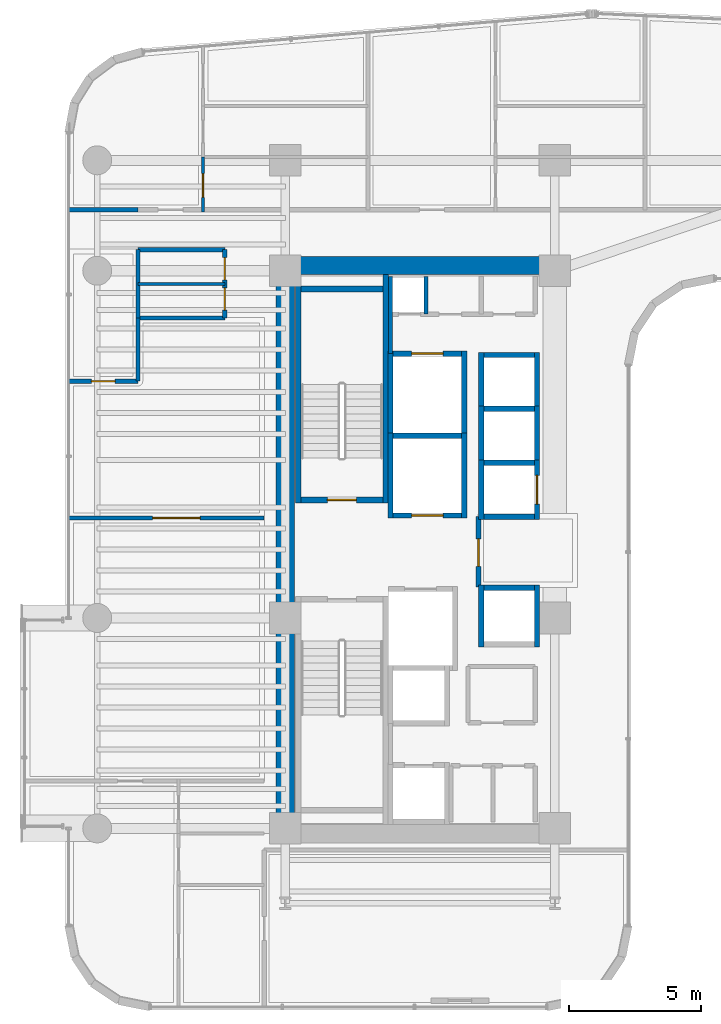
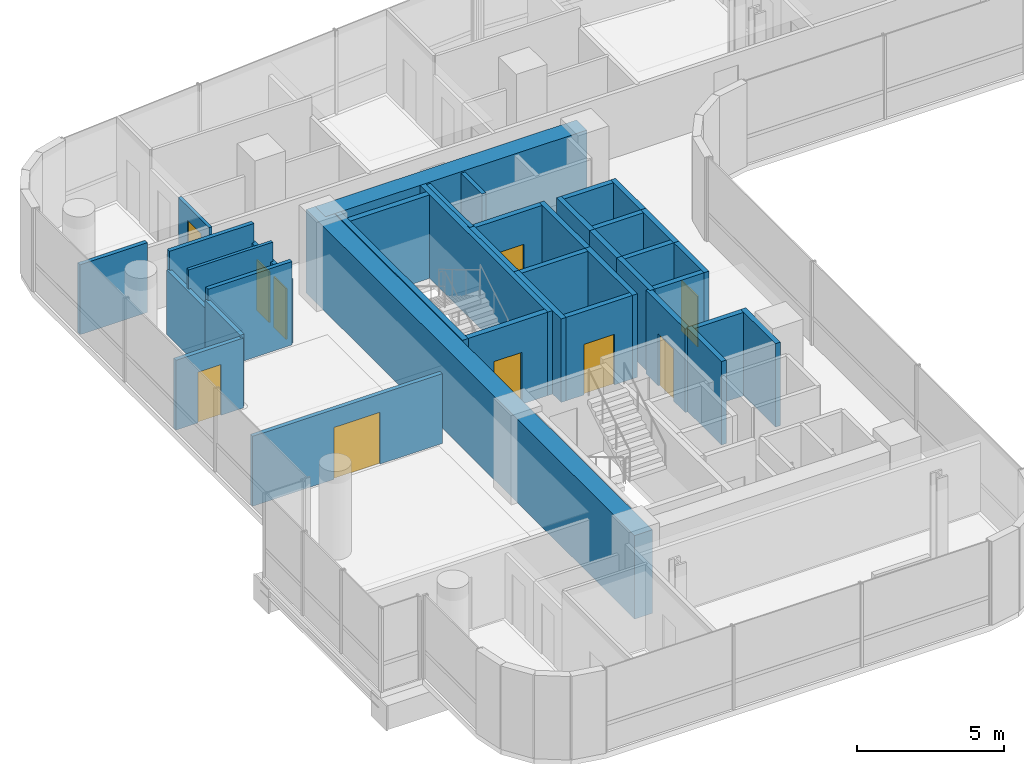
# One storey, part 29 of 38: 39 walls, 10 doors, 10 openings.
"""IFC4 building model written with IfcOpenShell, lengths in metres."""

from ifc_helpers import new_model, si_unit, direction, frame, frame_2d, origin, place, context, subcontext, project, spatial, rectangle, extrude, material, layer, layer_set, type_object, element, fill, save


model = new_model("IFC4")

# Units and contexts
model_context = context("Model", 3, precision=1e-05, world=origin(), true_north=direction((0.0, 1.0)))
body_context = subcontext(model_context, "Body", "Model", "MODEL_VIEW")
ifc_project = project(units=[si_unit("LENGTHUNIT", "METRE"), si_unit("AREAUNIT", "SQUARE_METRE"), si_unit("VOLUMEUNIT", "CUBIC_METRE"), si_unit("PLANEANGLEUNIT", "RADIAN"), si_unit("MASSUNIT", "GRAM", prefix="KILO")], contexts=[model_context])

# Site, building, storey
site_placement = place(None, origin())
site = spatial("IfcSite", under=ifc_project, at=site_placement, CompositionType="ELEMENT")
building_placement = place(site_placement, origin())
building = spatial("IfcBuilding", under=site, at=building_placement, Name="Valdorenza Pilgrim Sanctuary Tower", CompositionType="ELEMENT")
storey_placement = place(building_placement, frame((0.0, 0.0, 131.60009765625)))
storey = spatial("IfcBuildingStorey", under=building, at=storey_placement, Name="L33", CompositionType="ELEMENT", Elevation=131.60009765625)

# Walls
ifc_material_1 = material(Name="Acoustic twin-stud gypsum partition", Category="gypsum")
ifc_layer_1 = layer(ifc_material_1, 0.159912109375, Name="Acoustic twin-stud gypsum partition")
ifc_layer_set_1 = layer_set([ifc_layer_1], Name="Acoustic twin-stud gypsum partition")
wall_type_1 = type_object("IfcWallType", Name="WAL-COR-160", PredefinedType="PARTITIONING", material=ifc_layer_set_1)
wall_1_placement = place(storey_placement, frame((-18.64990234375, 7.449951171875, 0.0), z_axis=(0.0, 0.0, 1.0), x_axis=(0.0, 1.0, 0.0)))
element("IfcWall", 1, at=wall_1_placement, inside=storey, type_object=wall_type_1, Name="L33 Core A North Service West Wall", PredefinedType="PARTITIONING", context=body_context, shape_type="SweptSolid", body=[
    extrude(rectangle(XDim=2.929931640625, YDim=0.159912109375, at=frame_2d((1.46484375, 0.0))), origin(), (0.0, 0.0, 1.0), 3.4599609375),
])
wall_2_placement = place(storey_placement, frame((-17.300048828125, 8.949951171875, 0.0), z_axis=(0.0, 0.0, 1.0), x_axis=(0.0, 1.0, 0.0)))
element("IfcWall", 2, at=wall_2_placement, inside=storey, type_object=wall_type_1, Name="L33 Core Electrical Riser Wall", PredefinedType="PARTITIONING", context=body_context, shape_type="SweptSolid", body=[
    extrude(rectangle(XDim=1.429931640625, YDim=0.159912109375, at=frame_2d((0.71484375, 0.0))), origin(), (0.0, 0.0, 1.0), 3.4599609375),
])
wall_3_placement = place(storey_placement, frame((-28.25, 8.800048828125, 0.0), z_axis=(0.0, 0.0, 1.0), x_axis=(0.0, 1.0, 0.0)))
element("IfcWall", 3, at=wall_3_placement, inside=storey, type_object=wall_type_1, Name="L33 Washroom West Wall", PredefinedType="PARTITIONING", context=body_context, shape_type="SweptSolid", body=[
    extrude(rectangle(XDim=2.599853515625, YDim=0.159912109375, at=frame_2d((1.2998046875, 0.0))), origin(), (0.0, 0.0, 1.0), 2.666015625),
])

# Wall, openings, doors
wall_4_placement = place(storey_placement, frame((-24.949951171875, 8.800048828125, 0.0), z_axis=(0.0, 0.0, 1.0), x_axis=(0.0, 1.0, 0.0)))
wall_4 = element("IfcWall", 4, at=wall_4_placement, inside=storey, type_object=wall_type_1, Name="L33 Washroom East Wall", PredefinedType="PARTITIONING", context=body_context, shape_type="SweptSolid", body=[
    extrude(rectangle(XDim=2.599853515625, YDim=0.159912109375, at=frame_2d((1.2998046875, 0.0))), origin(), (0.0, 0.0, 1.0), 2.666015625),
])
opening_1_placement = place(wall_4_placement, frame((0.300048828125, 0.0, 0.0)))
opening_1 = element("IfcOpeningElement", 5, at=opening_1_placement, cuts=wall_4, Name="Opening DR-WC1", PredefinedType="OPENING", context=body_context, shape_type="SweptSolid", body=[
    extrude(rectangle(XDim=0.85009765625, YDim=2.10009765625, at=frame_2d((0.425048828125, 1.050048828125))), frame((0.0, 0.0947265625, 0.0), z_axis=(0.0, -1.0, 0.0), x_axis=(1.0, 0.0, 0.0)), (0.0, 0.0, 1.0), 0.189697265625),
])
opening_2_placement = place(wall_4_placement, frame((1.449951171875, 0.0, 0.0)))
opening_2 = element("IfcOpeningElement", 6, at=opening_2_placement, cuts=wall_4, Name="Opening DR-WC1", PredefinedType="OPENING", context=body_context, shape_type="SweptSolid", body=[
    extrude(rectangle(XDim=0.85009765625, YDim=2.10009765625, at=frame_2d((0.425048828125, 1.050048828125))), frame((0.0, 0.0947265625, 0.0), z_axis=(0.0, -1.0, 0.0), x_axis=(1.0, 0.0, 0.0)), (0.0, 0.0, 1.0), 0.189697265625),
])
ifc_material_2 = material(Name="Moisture-resistant lacquered timber", Category="wood")
door_type_1 = type_object("IfcDoorType", Name="DR-BATH-850", OperationType="NOTDEFINED", PredefinedType="DOOR", material=ifc_material_2)
door_1_placement = place(opening_1_placement, origin())
door_1 = element("IfcDoor", 7, at=door_1_placement, inside=storey, type_object=door_type_1, Name="L33 Accessible Washroom Door", OperationType="SINGLE_SWING_LEFT", OverallHeight=2.10009765625, OverallWidth=0.85009765625, PredefinedType="DOOR", context=body_context, shape_type="SweptSolid", body=[
    extrude(rectangle(XDim=0.85009765625, YDim=2.10009765625, at=frame_2d((0.425048828125, 1.050048828125))), frame((0.0, 0.02490234375, 0.0), z_axis=(0.0, -1.0, 0.0), x_axis=(1.0, 0.0, 0.0)), (0.0, 0.0, 1.0), 0.050048828125),
])
fill(opening_1, door_1)
door_2_placement = place(opening_2_placement, origin())
door_2 = element("IfcDoor", 8, at=door_2_placement, inside=storey, type_object=door_type_1, Name="L33 Public Washroom Door", OperationType="SINGLE_SWING_RIGHT", OverallHeight=2.10009765625, OverallWidth=0.85009765625, PredefinedType="DOOR", context=body_context, shape_type="SweptSolid", body=[
    extrude(rectangle(XDim=0.85009765625, YDim=2.10009765625, at=frame_2d((0.425048828125, 1.050048828125))), frame((0.0, 0.02490234375, 0.0), z_axis=(0.0, -1.0, 0.0), x_axis=(1.0, 0.0, 0.0)), (0.0, 0.0, 1.0), 0.050048828125),
])
fill(opening_2, door_2)

# Walls
for number, where, z_axis, x_axis, name in (
    (9, (-28.25, 8.800048828125, 0.0), (0.0, 0.0, 1.0), (1.0, 0.0, 0.0), "L33 Washroom South Wall"),
    (10, (-28.25, 11.39990234375, 0.0), (0.0, 0.0, 1.0), (1.0, 0.0, 0.0), "L33 Washroom North Wall"),
):
    element("IfcWall", number, at=place(storey_placement, frame(where, z_axis=z_axis, x_axis=x_axis)), inside=storey, type_object=wall_type_1, Name=name, PredefinedType="PARTITIONING", context=body_context, shape_type="SweptSolid", body=[
        extrude(rectangle(XDim=3.300048828125, YDim=0.159912109375, at=frame_2d((1.64990234375, 0.0))), origin(), (0.0, 0.0, 1.0), 3.4599609375),
    ])

# Wall, opening, door
wall_5_placement = place(storey_placement, frame((-30.889892578125, 6.39990234375, 0.0), z_axis=(0.0, 0.0, 1.0), x_axis=(1.0, 0.0, 0.0)))
wall_5 = element("IfcWall", 11, at=wall_5_placement, inside=storey, type_object=wall_type_1, Name="L33 Cloister North Room Wall", PredefinedType="PARTITIONING", context=body_context, shape_type="SweptSolid", body=[
    extrude(rectangle(XDim=2.639892578125, YDim=0.159912109375, at=frame_2d((1.31982421875, 0.0))), origin(), (0.0, 0.0, 1.0), 2.89599609375),
])
opening_3_placement = place(wall_5_placement, frame((0.8701171875, 0.0, 0.0)))
opening_3 = element("IfcOpeningElement", 12, at=opening_3_placement, cuts=wall_5, Name="Opening DR-RM1", PredefinedType="OPENING", context=body_context, shape_type="SweptSolid", body=[
    extrude(rectangle(XDim=0.89990234375, YDim=2.10009765625, at=frame_2d((0.449951171875, 1.050048828125))), frame((0.0, 0.0947265625, 0.0), z_axis=(0.0, -1.0, 0.0), x_axis=(1.0, 0.0, 0.0)), (0.0, 0.0, 1.0), 0.189697265625),
])
ifc_material_3 = material(Name="Solid-core European oak timber", Category="wood")
door_type_2 = type_object("IfcDoorType", Name="DR-ROOM-900", OperationType="NOTDEFINED", PredefinedType="DOOR", material=ifc_material_3)
door_3_placement = place(opening_3_placement, frame((0.89990234375, 0.0, 0.0), z_axis=(0.0, 0.0, 1.0), x_axis=(-1.0, 0.0, 0.0)))
door_3 = element("IfcDoor", 13, at=door_3_placement, inside=storey, type_object=door_type_2, Name="L33 Pilgrim Scholar Office L33-1 Door", OperationType="SINGLE_SWING_LEFT", OverallHeight=2.10009765625, OverallWidth=0.89990234375, PredefinedType="DOOR", context=body_context, shape_type="SweptSolid", body=[
    extrude(rectangle(XDim=0.89990234375, YDim=2.10009765625, at=frame_2d((0.449951171875, 1.050048828125))), frame((0.0, 0.02490234375, 0.0), z_axis=(0.0, -1.0, 0.0), x_axis=(1.0, 0.0, 0.0)), (0.0, 0.0, 1.0), 0.050048828125),
])
fill(opening_3, door_3)

# Wall
wall_6_placement = place(storey_placement, frame((-28.25, 6.39990234375, 0.0), z_axis=(0.0, 0.0, 1.0), x_axis=(0.0, 1.0, 0.0)))
element("IfcWall", 14, at=wall_6_placement, inside=storey, type_object=wall_type_1, Name="L33 Cloister NE Closure", PredefinedType="PARTITIONING", context=body_context, shape_type="SweptSolid", body=[
    extrude(rectangle(XDim=2.400146484375, YDim=0.159912109375, at=frame_2d((1.2001953125, 0.0))), origin(), (0.0, 0.0, 1.0), 2.98779296875),
])

# Wall, opening, door
wall_7_placement = place(storey_placement, frame((-30.889892578125, 1.199951171875, 0.0), z_axis=(0.0, 0.0, 1.0), x_axis=(1.0, 0.0, 0.0)))
wall_7 = element("IfcWall", 15, at=wall_7_placement, inside=storey, type_object=wall_type_1, Name="L33 Cloister Mid Wall", PredefinedType="PARTITIONING", context=body_context, shape_type="SweptSolid", body=[
    extrude(rectangle(XDim=7.43994140625, YDim=0.159912109375, at=frame_2d((3.719970703125, 0.0))), origin(), (0.0, 0.0, 1.0), 2.89599609375),
])
opening_4_placement = place(wall_7_placement, frame((3.199951171875, 0.0, 0.0)))
opening_4 = element("IfcOpeningElement", 16, at=opening_4_placement, cuts=wall_7, Name="Opening DR-HL1", PredefinedType="OPENING", context=body_context, shape_type="SweptSolid", body=[
    extrude(rectangle(XDim=1.800048828125, YDim=2.14990234375, at=frame_2d((0.89990234375, 1.074951171875))), frame((0.0, 0.0947265625, 0.0), z_axis=(0.0, -1.0, 0.0), x_axis=(1.0, 0.0, 0.0)), (0.0, 0.0, 1.0), 0.189697265625),
])
ifc_material_4 = material(Name="Acoustic oak and vision-glass double door", Category="glass")
door_type_3 = type_object("IfcDoorType", Name="DR-HALL-1800", OperationType="NOTDEFINED", PredefinedType="DOOR", material=ifc_material_4)
door_4_placement = place(opening_4_placement, origin())
door_4 = element("IfcDoor", 17, at=door_4_placement, inside=storey, type_object=door_type_3, Name="L33 Cloister Mid Double Door", OperationType="DOUBLE_DOOR_SINGLE_SWING", OverallHeight=2.14990234375, OverallWidth=1.800048828125, PredefinedType="DOOR", context=body_context, shape_type="SweptSolid", body=[
    extrude(rectangle(XDim=1.800048828125, YDim=2.14990234375, at=frame_2d((0.89990234375, 1.074951171875))), frame((0.0, 0.02490234375, 0.0), z_axis=(0.0, -1.0, 0.0), x_axis=(1.0, 0.0, 0.0)), (0.0, 0.0, 1.0), 0.050048828125),
])
fill(opening_4, door_4)

# Walls
wall_8_placement = place(storey_placement, frame((-30.889892578125, 12.919921875, 0.0), z_axis=(0.0, 0.0, 1.0), x_axis=(1.0, 0.0, 0.0)))
element("IfcWall", 18, at=wall_8_placement, inside=storey, type_object=wall_type_1, Name="L33 Cloister North Solid Partition", PredefinedType="PARTITIONING", context=body_context, shape_type="SweptSolid", body=[
    extrude(rectangle(XDim=2.639892578125, YDim=0.159912109375, at=frame_2d((1.31982421875, 0.0))), origin(), (0.0, 0.0, 1.0), 2.89599609375),
])
ifc_material_5 = material(Name="Concrete C60/75", Category="concrete")
ifc_layer_2 = layer(ifc_material_5, 0.699951171875, Name="Concrete C60/75")
ifc_layer_set_2 = layer_set([ifc_layer_2], Name="Concrete C60/75")
wall_type_2 = type_object("IfcWallType", Name="WAL-COR-700", PredefinedType="SHEAR", material=ifc_layer_set_2)
wall_9_placement = place(storey_placement, frame((-22.64990234375, -11.14990234375, 0.0), z_axis=(0.0, 0.0, 1.0), x_axis=(0.0, 1.0, 0.0)))
element("IfcWall", 19, at=wall_9_placement, inside=storey, type_object=wall_type_2, Name="L33 Split Core A Shear Wall W", PredefinedType="SHEAR", context=body_context, shape_type="SweptSolid", body=[
    extrude(rectangle(XDim=22.2998046875, YDim=0.699951171875, at=frame_2d((11.14990234375, 0.0))), origin(), (0.0, 0.0, 1.0), 3.4599609375),
])
wall_10_placement = place(storey_placement, frame((-22.64990234375, 10.800048828125, 0.0), z_axis=(0.0, 0.0, 1.0), x_axis=(1.0, 0.0, 0.0)))
element("IfcWall", 20, at=wall_10_placement, inside=storey, type_object=wall_type_2, Name="L33 Split Core A Shear Wall N", PredefinedType="SHEAR", context=body_context, shape_type="SweptSolid", body=[
    extrude(rectangle(XDim=10.25, YDim=0.699951171875, at=frame_2d((5.125, 0.0))), origin(), (0.0, 0.0, 1.0), 3.4599609375),
])

# Wall, opening, door
ifc_material_6 = material(Name="Gypsum shaftwall partition", Category="gypsum")
ifc_layer_3 = layer(ifc_material_6, 0.199951171875, Name="Gypsum shaftwall partition")
ifc_layer_set_3 = layer_set([ifc_layer_3], Name="Gypsum shaftwall partition")
wall_type_3 = type_object("IfcWallType", Name="WAL-FFL-200", PredefinedType="PARTITIONING", material=ifc_layer_set_3)
wall_11_placement = place(storey_placement, frame((-15.300048828125, -1.419921875, 0.0), z_axis=(0.0, 0.0, 1.0), x_axis=(0.0, 1.0, 0.0)))
wall_11 = element("IfcWall", 21, at=wall_11_placement, inside=storey, type_object=wall_type_3, Name="L33 Core A Firefighting Lobby East Wall", PredefinedType="PARTITIONING", context=body_context, shape_type="SweptSolid", body=[
    extrude(rectangle(XDim=2.669921875, YDim=0.199951171875, at=frame_2d((1.3349609375, 0.0))), origin(), (0.0, 0.0, 1.0), 3.4599609375),
])
opening_5_placement = place(wall_11_placement, frame((0.780029296875, 0.0, 0.0)))
opening_5 = element("IfcOpeningElement", 22, at=opening_5_placement, cuts=wall_11, Name="Opening DR-FL1", PredefinedType="OPENING", context=body_context, shape_type="SweptSolid", body=[
    extrude(rectangle(XDim=1.050048828125, YDim=2.14990234375, at=frame_2d((0.52490234375, 1.074951171875))), frame((0.0, 0.11474609375, 0.0), z_axis=(0.0, -1.0, 0.0), x_axis=(1.0, 0.0, 0.0)), (0.0, 0.0, 1.0), 0.229736328125),
])
ifc_material_7 = material(Name="Painted galvanized steel", Category="steel")
door_type_4 = type_object("IfcDoorType", Name="DR-FFL-1050", OperationType="NOTDEFINED", PredefinedType="DOOR", material=ifc_material_7)
door_5_placement = place(opening_5_placement, origin())
door_5 = element("IfcDoor", 23, at=door_5_placement, inside=storey, type_object=door_type_4, Name="L33 Core A Firefighting Lobby Door", OperationType="SINGLE_SWING_RIGHT", OverallHeight=2.14990234375, OverallWidth=1.050048828125, PredefinedType="DOOR", context=body_context, shape_type="SweptSolid", body=[
    extrude(rectangle(XDim=1.050048828125, YDim=2.14990234375, at=frame_2d((0.52490234375, 1.074951171875))), frame((0.0, 0.02490234375, 0.0), z_axis=(0.0, -1.0, 0.0), x_axis=(1.0, 0.0, 0.0)), (0.0, 0.0, 1.0), 0.050048828125),
])
fill(opening_5, door_5)

# Wall
ifc_material_8 = material(Name="Moisture-resistant gypsum partition", Category="gypsum")
ifc_layer_4 = layer(ifc_material_8, 0.1201171875, Name="Moisture-resistant gypsum partition")
ifc_layer_set_4 = layer_set([ifc_layer_4], Name="Moisture-resistant gypsum partition")
wall_type_4 = type_object("IfcWallType", Name="WAL-INT-120", PredefinedType="PARTITIONING", material=ifc_layer_set_4)
wall_12_placement = place(storey_placement, frame((-28.25, 10.10009765625, 0.0), z_axis=(0.0, 0.0, 1.0), x_axis=(1.0, 0.0, 0.0)))
element("IfcWall", 24, at=wall_12_placement, inside=storey, type_object=wall_type_4, Name="L33 Washroom Divider Wall", PredefinedType="PARTITIONING", context=body_context, shape_type="SweptSolid", body=[
    extrude(rectangle(XDim=3.300048828125, YDim=0.1201171875, at=frame_2d((1.64990234375, 0.0))), origin(), (0.0, 0.0, 1.0), 3.4599609375),
])

# Wall, opening, door
wall_13_placement = place(storey_placement, frame((-25.77490234375, 12.840087890625, 0.0), z_axis=(0.0, 0.0, 1.0), x_axis=(0.0, 1.0, 0.0)))
wall_13 = element("IfcWall", 25, at=wall_13_placement, inside=storey, type_object=wall_type_4, Name="L33 North Sanctuary Apartment L33-N1 Kitchen Door Wall", PredefinedType="PARTITIONING", context=body_context, shape_type="SweptSolid", body=[
    extrude(rectangle(XDim=2.079833984375, YDim=0.1201171875, at=frame_2d((1.0400390625, 0.0))), origin(), (0.0, 0.0, 1.0), 2.666015625),
])
opening_6_placement = place(wall_13_placement, frame((0.550048828125, 0.0, 0.0)))
opening_6 = element("IfcOpeningElement", 26, at=opening_6_placement, cuts=wall_13, Name="Opening DR-RM1", PredefinedType="OPENING", context=body_context, shape_type="SweptSolid", body=[
    extrude(rectangle(XDim=0.89990234375, YDim=2.10009765625, at=frame_2d((0.449951171875, 1.050048828125))), frame((0.0, 0.074951171875, 0.0), z_axis=(0.0, -1.0, 0.0), x_axis=(1.0, 0.0, 0.0)), (0.0, 0.0, 1.0), 0.14990234375),
])
door_6_placement = place(opening_6_placement, origin())
door_6 = element("IfcDoor", 27, at=door_6_placement, inside=storey, type_object=door_type_2, Name="L33 North Sanctuary Apartment L33-N1 Kitchen Door", OperationType="SINGLE_SWING_RIGHT", OverallHeight=2.10009765625, OverallWidth=0.89990234375, PredefinedType="DOOR", context=body_context, shape_type="SweptSolid", body=[
    extrude(rectangle(XDim=0.89990234375, YDim=2.10009765625, at=frame_2d((0.449951171875, 1.050048828125))), frame((0.0, 0.02490234375, 0.0), z_axis=(0.0, -1.0, 0.0), x_axis=(1.0, 0.0, 0.0)), (0.0, 0.0, 1.0), 0.050048828125),
])
fill(opening_6, door_6)

# Walls
ifc_material_9 = material(Name="Autoclaved aerated concrete blockwork", Category="masonry")
ifc_layer_5 = layer(ifc_material_9, 0.199951171875, Name="Autoclaved aerated concrete blockwork")
ifc_layer_set_5 = layer_set([ifc_layer_5], Name="Autoclaved aerated concrete blockwork")
wall_type_5 = type_object("IfcWallType", Name="WAL-SHF-200", PredefinedType="MOVABLE", material=ifc_layer_set_5)
for number, where, z_axis, x_axis, name in (
    (28, (-18.64990234375, 1.199951171875, 0.0), (0.0, 0.0, 1.0), (0.0, 1.0, 0.0), "L33 Lift FFL-01 Hoistway Wall West"),
    (29, (-15.85009765625, 1.199951171875, 0.0), (0.0, 0.0, 1.0), (0.0, 1.0, 0.0), "L33 Lift FFL-01 Hoistway Wall East"),
):
    element("IfcWall", number, at=place(storey_placement, frame(where, z_axis=z_axis, x_axis=x_axis)), inside=storey, type_object=wall_type_5, Name=name, PredefinedType="MOVABLE", context=body_context, shape_type="SweptSolid", body=[
        extrude(rectangle(XDim=3.22509765625, YDim=0.199951171875, at=frame_2d((1.612548828125, 0.0))), origin(), (0.0, 0.0, 1.0), 3.4599609375),
    ])

# Wall, opening, door
wall_14_placement = place(storey_placement, frame((-18.550048828125, 1.300048828125, 0.0), z_axis=(0.0, 0.0, 1.0), x_axis=(1.0, 0.0, 0.0)))
wall_14 = element("IfcWall", 30, at=wall_14_placement, inside=storey, type_object=wall_type_5, Name="L33 Lift FFL-01 Hoistway Wall South", PredefinedType="MOVABLE", context=body_context, shape_type="SweptSolid", body=[
    extrude(rectangle(XDim=2.60009765625, YDim=0.199951171875, at=frame_2d((1.300048828125, 0.0))), origin(), (0.0, 0.0, 1.0), 3.4599609375),
])
opening_7_placement = place(wall_14_placement, frame((0.699951171875, 0.0, 0.0)))
opening_7 = element("IfcOpeningElement", 31, at=opening_7_placement, cuts=wall_14, Name="Opening LD-02", PredefinedType="OPENING", context=body_context, shape_type="SweptSolid", body=[
    extrude(rectangle(XDim=1.199951171875, YDim=2.10009765625, at=frame_2d((0.60009765625, 1.050048828125))), frame((0.0, 0.11474609375, 0.0), z_axis=(0.0, -1.0, 0.0), x_axis=(1.0, 0.0, 0.0)), (0.0, 0.0, 1.0), 0.229736328125),
])
ifc_material_10 = material(Name="Brushed stainless steel Grade 316", Category="steel")
door_type_5 = type_object("IfcDoorType", Name="DR-LFT-1200", OperationType="DOUBLE_DOOR_SLIDING", PredefinedType="DOOR", material=ifc_material_10)
door_7_placement = place(opening_7_placement, origin())
door_7 = element("IfcDoor", 32, at=door_7_placement, inside=storey, type_object=door_type_5, Name="L33 Lift FFL-01 Sliding Landing Door", OperationType="DOUBLE_DOOR_SLIDING", OverallHeight=2.10009765625, OverallWidth=1.199951171875, PredefinedType="DOOR", context=body_context, shape_type="SweptSolid", body=[
    extrude(rectangle(XDim=1.199951171875, YDim=2.10009765625, at=frame_2d((0.60009765625, 1.050048828125))), frame((0.0, 0.02490234375, 0.0), z_axis=(0.0, -1.0, 0.0), x_axis=(1.0, 0.0, 0.0)), (0.0, 0.0, 1.0), 0.050048828125),
])
fill(opening_7, door_7)

# Walls
wall_15_placement = place(storey_placement, frame((-18.550048828125, 4.324951171875, 0.0), z_axis=(0.0, 0.0, 1.0), x_axis=(1.0, 0.0, 0.0)))
element("IfcWall", 33, at=wall_15_placement, inside=storey, type_object=wall_type_5, Name="L33 Lift FFL-01 Hoistway Wall North", PredefinedType="MOVABLE", context=body_context, shape_type="SweptSolid", body=[
    extrude(rectangle(XDim=2.60009765625, YDim=0.199951171875, at=frame_2d((1.300048828125, 0.0))), origin(), (0.0, 0.0, 1.0), 3.4599609375),
])
for number, where, z_axis, x_axis, name in (
    (34, (-18.64990234375, 4.22509765625, 0.0), (0.0, 0.0, 1.0), (0.0, 1.0, 0.0), "L33 Lift SVL-01 Hoistway Wall West"),
    (35, (-15.85009765625, 4.22509765625, 0.0), (0.0, 0.0, 1.0), (0.0, 1.0, 0.0), "L33 Lift SVL-01 Hoistway Wall East"),
):
    element("IfcWall", number, at=place(storey_placement, frame(where, z_axis=z_axis, x_axis=x_axis)), inside=storey, type_object=wall_type_5, Name=name, PredefinedType="MOVABLE", context=body_context, shape_type="SweptSolid", body=[
        extrude(rectangle(XDim=3.324951171875, YDim=0.199951171875, at=frame_2d((1.66259765625, 0.0))), origin(), (0.0, 0.0, 1.0), 3.4599609375),
    ])

# Wall, opening, door
wall_16_placement = place(storey_placement, frame((-18.550048828125, 7.449951171875, 0.0), z_axis=(0.0, 0.0, 1.0), x_axis=(1.0, 0.0, 0.0)))
wall_16 = element("IfcWall", 36, at=wall_16_placement, inside=storey, type_object=wall_type_5, Name="L33 Lift SVL-01 Hoistway Wall North", PredefinedType="MOVABLE", context=body_context, shape_type="SweptSolid", body=[
    extrude(rectangle(XDim=2.60009765625, YDim=0.199951171875, at=frame_2d((1.300048828125, 0.0))), origin(), (0.0, 0.0, 1.0), 3.4599609375),
])
opening_8_placement = place(wall_16_placement, frame((0.699951171875, 0.0, 0.0)))
opening_8 = element("IfcOpeningElement", 37, at=opening_8_placement, cuts=wall_16, Name="Opening LD-02", PredefinedType="OPENING", context=body_context, shape_type="SweptSolid", body=[
    extrude(rectangle(XDim=1.199951171875, YDim=2.10009765625, at=frame_2d((0.60009765625, 1.050048828125))), frame((0.0, 0.11474609375, 0.0), z_axis=(0.0, -1.0, 0.0), x_axis=(1.0, 0.0, 0.0)), (0.0, 0.0, 1.0), 0.229736328125),
])
door_8_placement = place(opening_8_placement, origin())
door_8 = element("IfcDoor", 38, at=door_8_placement, inside=storey, type_object=door_type_5, Name="L33 Lift SVL-01 Sliding Landing Door", OperationType="DOUBLE_DOOR_SLIDING", OverallHeight=2.10009765625, OverallWidth=1.199951171875, PredefinedType="DOOR", context=body_context, shape_type="SweptSolid", body=[
    extrude(rectangle(XDim=1.199951171875, YDim=2.10009765625, at=frame_2d((0.60009765625, 1.050048828125))), frame((0.0, 0.02490234375, 0.0), z_axis=(0.0, -1.0, 0.0), x_axis=(1.0, 0.0, 0.0)), (0.0, 0.0, 1.0), 0.050048828125),
])
fill(opening_8, door_8)

# Wall
wall_17_placement = place(storey_placement, frame((-15.199951171875, 1.14990234375, 0.0), z_axis=(0.0, 0.0, 1.0), x_axis=(0.0, 1.0, 0.0)))
element("IfcWall", 39, at=wall_17_placement, inside=storey, type_object=wall_type_5, Name="L33 Lift PL-06 Hoistway Wall West", PredefinedType="MOVABLE", context=body_context, shape_type="SweptSolid", body=[
    extrude(rectangle(XDim=2.25, YDim=0.199951171875, at=frame_2d((1.125, 0.0))), origin(), (0.0, 0.0, 1.0), 3.4599609375),
])

# Wall, opening, door
wall_18_placement = place(storey_placement, frame((-13.080078125, 1.14990234375, 0.0), z_axis=(0.0, 0.0, 1.0), x_axis=(0.0, 1.0, 0.0)))
wall_18 = element("IfcWall", 40, at=wall_18_placement, inside=storey, type_object=wall_type_5, Name="L33 Lift PL-06 Hoistway Wall East", PredefinedType="MOVABLE", context=body_context, shape_type="SweptSolid", body=[
    extrude(rectangle(XDim=2.25, YDim=0.199951171875, at=frame_2d((1.125, 0.0))), origin(), (0.0, 0.0, 1.0), 3.4599609375),
])
opening_9_placement = place(wall_18_placement, frame((0.574951171875, 0.0, 0.0)))
opening_9 = element("IfcOpeningElement", 41, at=opening_9_placement, cuts=wall_18, Name="Opening LD-01", PredefinedType="OPENING", context=body_context, shape_type="SweptSolid", body=[
    extrude(rectangle(XDim=1.10009765625, YDim=2.10009765625, at=frame_2d((0.550048828125, 1.050048828125))), frame((0.0, 0.11474609375, 0.0), z_axis=(0.0, -1.0, 0.0), x_axis=(1.0, 0.0, 0.0)), (0.0, 0.0, 1.0), 0.229736328125),
])
door_type_6 = type_object("IfcDoorType", Name="DR-LFT-1100", OperationType="DOUBLE_DOOR_SLIDING", PredefinedType="DOOR", material=ifc_material_10)
door_9_placement = place(opening_9_placement, origin())
door_9 = element("IfcDoor", 42, at=door_9_placement, inside=storey, type_object=door_type_6, Name="L33 Lift PL-06 Sliding Landing Door", OperationType="DOUBLE_DOOR_SLIDING", OverallHeight=2.10009765625, OverallWidth=1.10009765625, PredefinedType="DOOR", context=body_context, shape_type="SweptSolid", body=[
    extrude(rectangle(XDim=1.10009765625, YDim=2.10009765625, at=frame_2d((0.550048828125, 1.050048828125))), frame((0.0, 0.02490234375, 0.0), z_axis=(0.0, -1.0, 0.0), x_axis=(1.0, 0.0, 0.0)), (0.0, 0.0, 1.0), 0.050048828125),
])
fill(opening_9, door_9)

# Walls
wall_19_placement = place(storey_placement, frame((-15.10009765625, 1.25, 0.0), z_axis=(0.0, 0.0, 1.0), x_axis=(1.0, 0.0, 0.0)))
element("IfcWall", 43, at=wall_19_placement, inside=storey, type_object=wall_type_5, Name="L33 Lift PL-06 Hoistway Wall South", PredefinedType="MOVABLE", context=body_context, shape_type="SweptSolid", body=[
    extrude(rectangle(XDim=1.920166015625, YDim=0.199951171875, at=frame_2d((0.9599609375, 0.0))), origin(), (0.0, 0.0, 1.0), 3.4599609375),
])
for number, where, z_axis, x_axis, name in (
    (44, (-15.199951171875, 3.199951171875, 0.0), (0.0, 0.0, 1.0), (0.0, 1.0, 0.0), "L33 Lift PL-09 Hoistway Wall West"),
    (45, (-13.080078125, 3.199951171875, 0.0), (0.0, 0.0, 1.0), (0.0, 1.0, 0.0), "L33 Lift PL-09 Hoistway Wall East"),
):
    element("IfcWall", number, at=place(storey_placement, frame(where, z_axis=z_axis, x_axis=x_axis)), inside=storey, type_object=wall_type_5, Name=name, PredefinedType="MOVABLE", context=body_context, shape_type="SweptSolid", body=[
        extrude(rectangle(XDim=2.25, YDim=0.199951171875, at=frame_2d((1.125, 0.0))), origin(), (0.0, 0.0, 1.0), 3.4599609375),
    ])
for number, where, z_axis, x_axis, name in (
    (46, (-15.10009765625, 3.300048828125, 0.0), (0.0, 0.0, 1.0), (1.0, 0.0, 0.0), "L33 Lift PL-09 Hoistway Wall South"),
    (47, (-15.10009765625, 5.35009765625, 0.0), (0.0, 0.0, 1.0), (1.0, 0.0, 0.0), "L33 Lift PL-09 Hoistway Wall North"),
):
    element("IfcWall", number, at=place(storey_placement, frame(where, z_axis=z_axis, x_axis=x_axis)), inside=storey, type_object=wall_type_5, Name=name, PredefinedType="MOVABLE", context=body_context, shape_type="SweptSolid", body=[
        extrude(rectangle(XDim=1.920166015625, YDim=0.199951171875, at=frame_2d((0.9599609375, 0.0))), origin(), (0.0, 0.0, 1.0), 3.4599609375),
    ])
for number, where, z_axis, x_axis, name in (
    (48, (-15.199951171875, 5.25, 0.0), (0.0, 0.0, 1.0), (0.0, 1.0, 0.0), "L33 Lift PL-10 Hoistway Wall West"),
    (49, (-13.080078125, 5.25, 0.0), (0.0, 0.0, 1.0), (0.0, 1.0, 0.0), "L33 Lift PL-10 Hoistway Wall East"),
):
    element("IfcWall", number, at=place(storey_placement, frame(where, z_axis=z_axis, x_axis=x_axis)), inside=storey, type_object=wall_type_5, Name=name, PredefinedType="MOVABLE", context=body_context, shape_type="SweptSolid", body=[
        extrude(rectangle(XDim=2.25, YDim=0.199951171875, at=frame_2d((1.125, 0.0))), origin(), (0.0, 0.0, 1.0), 3.4599609375),
    ])
wall_20_placement = place(storey_placement, frame((-15.10009765625, 7.39990234375, 0.0), z_axis=(0.0, 0.0, 1.0), x_axis=(1.0, 0.0, 0.0)))
element("IfcWall", 50, at=wall_20_placement, inside=storey, type_object=wall_type_5, Name="L33 Lift PL-10 Hoistway Wall North", PredefinedType="MOVABLE", context=body_context, shape_type="SweptSolid", body=[
    extrude(rectangle(XDim=1.920166015625, YDim=0.199951171875, at=frame_2d((0.9599609375, 0.0))), origin(), (0.0, 0.0, 1.0), 3.4599609375),
])
for number, where, z_axis, x_axis, name in (
    (51, (-15.199951171875, -3.699951171875, 0.0), (0.0, 0.0, 1.0), (0.0, 1.0, 0.0), "L33 Lift PL-12 Hoistway Wall West"),
    (52, (-13.080078125, -3.699951171875, 0.0), (0.0, 0.0, 1.0), (0.0, 1.0, 0.0), "L33 Lift PL-12 Hoistway Wall East"),
):
    element("IfcWall", number, at=place(storey_placement, frame(where, z_axis=z_axis, x_axis=x_axis)), inside=storey, type_object=wall_type_5, Name=name, PredefinedType="MOVABLE", context=body_context, shape_type="SweptSolid", body=[
        extrude(rectangle(XDim=2.349853515625, YDim=0.199951171875, at=frame_2d((1.1748046875, 0.0))), origin(), (0.0, 0.0, 1.0), 3.4599609375),
    ])
wall_21_placement = place(storey_placement, frame((-15.10009765625, -1.449951171875, 0.0), z_axis=(0.0, 0.0, 1.0), x_axis=(1.0, 0.0, 0.0)))
element("IfcWall", 53, at=wall_21_placement, inside=storey, type_object=wall_type_5, Name="L33 Lift PL-12 Hoistway Wall North", PredefinedType="MOVABLE", context=body_context, shape_type="SweptSolid", body=[
    extrude(rectangle(XDim=1.920166015625, YDim=0.199951171875, at=frame_2d((0.9599609375, 0.0))), origin(), (0.0, 0.0, 1.0), 3.4599609375),
])
ifc_material_11 = material(Name="Concrete C40/50", Category="concrete")
ifc_layer_6 = layer(ifc_material_11, 0.219970703125, Name="Concrete C40/50")
ifc_layer_set_6 = layer_set([ifc_layer_6], Name="Concrete C40/50")
wall_type_6 = type_object("IfcWallType", Name="WAL-STR-SHF-220", PredefinedType="SHEAR", material=ifc_layer_set_6)
for number, where, z_axis, x_axis, name in (
    (54, (-22.159912109375, 1.780029296875, 0.0), (0.0, 0.0, 1.0), (0.0, 1.0, 0.0), "L33 ST-A1 Structural Stairwell Wall W"),
    (55, (-18.830078125, 1.780029296875, 0.0), (0.0, 0.0, 1.0), (0.0, 1.0, 0.0), "L33 ST-A1 Structural Stairwell Wall E"),
):
    element("IfcWall", number, at=place(storey_placement, frame(where, z_axis=z_axis, x_axis=x_axis)), inside=storey, type_object=wall_type_6, Name=name, PredefinedType="SHEAR", context=body_context, shape_type="SweptSolid", body=[
        extrude(rectangle(XDim=8.669921875, YDim=0.219970703125, at=frame_2d((4.3349609375, 0.0))), origin(), (0.0, 0.0, 1.0), 3.4599609375),
    ])

# Wall, opening, door
wall_22_placement = place(storey_placement, frame((-22.050048828125, 1.889892578125, 0.0), z_axis=(0.0, 0.0, 1.0), x_axis=(1.0, 0.0, 0.0)))
wall_22 = element("IfcWall", 56, at=wall_22_placement, inside=storey, type_object=wall_type_6, Name="L33 ST-A1 Structural Stairwell Wall S", PredefinedType="SHEAR", context=body_context, shape_type="SweptSolid", body=[
    extrude(rectangle(XDim=3.110107421875, YDim=0.219970703125, at=frame_2d((1.55517578125, 0.0))), origin(), (0.0, 0.0, 1.0), 3.4599609375),
])
opening_10_placement = place(wall_22_placement, frame((1.0, 0.0, 0.0)))
opening_10 = element("IfcOpeningElement", 57, at=opening_10_placement, cuts=wall_22, Name="Opening DR-ST1", PredefinedType="OPENING", context=body_context, shape_type="SweptSolid", body=[
    extrude(rectangle(XDim=1.10009765625, YDim=2.14990234375, at=frame_2d((0.550048828125, 1.074951171875))), frame((0.0, 0.125, 0.0), z_axis=(0.0, -1.0, 0.0), x_axis=(1.0, 0.0, 0.0)), (0.0, 0.0, 1.0), 0.249755859375),
])
door_type_7 = type_object("IfcDoorType", Name="DR-STAIR-1100", OperationType="NOTDEFINED", PredefinedType="DOOR", material=ifc_material_7)
door_10_placement = place(opening_10_placement, frame((1.10009765625, 0.0, 0.0), z_axis=(0.0, 0.0, 1.0), x_axis=(-1.0, 0.0, 0.0)))
door_10 = element("IfcDoor", 58, at=door_10_placement, inside=storey, type_object=door_type_7, Name="L33 Exit Stair ST-A1 Door", OperationType="SINGLE_SWING_LEFT", OverallHeight=2.14990234375, OverallWidth=1.10009765625, PredefinedType="DOOR", context=body_context, shape_type="SweptSolid", body=[
    extrude(rectangle(XDim=1.10009765625, YDim=2.14990234375, at=frame_2d((0.550048828125, 1.074951171875))), frame((0.0, 0.02490234375, 0.0), z_axis=(0.0, -1.0, 0.0), x_axis=(1.0, 0.0, 0.0)), (0.0, 0.0, 1.0), 0.050048828125),
])
fill(opening_10, door_10)

# Wall
wall_23_placement = place(storey_placement, frame((-22.050048828125, 9.909912109375, 0.0), z_axis=(0.0, 0.0, 1.0), x_axis=(1.0, 0.0, 0.0)))
element("IfcWall", 59, at=wall_23_placement, inside=storey, type_object=wall_type_6, Name="L33 ST-A1 Structural Stairwell Wall N", PredefinedType="SHEAR", context=body_context, shape_type="SweptSolid", body=[
    extrude(rectangle(XDim=3.110107421875, YDim=0.219970703125, at=frame_2d((1.55517578125, 0.0))), origin(), (0.0, 0.0, 1.0), 3.4599609375),
])

save(model, "model.ifc")
